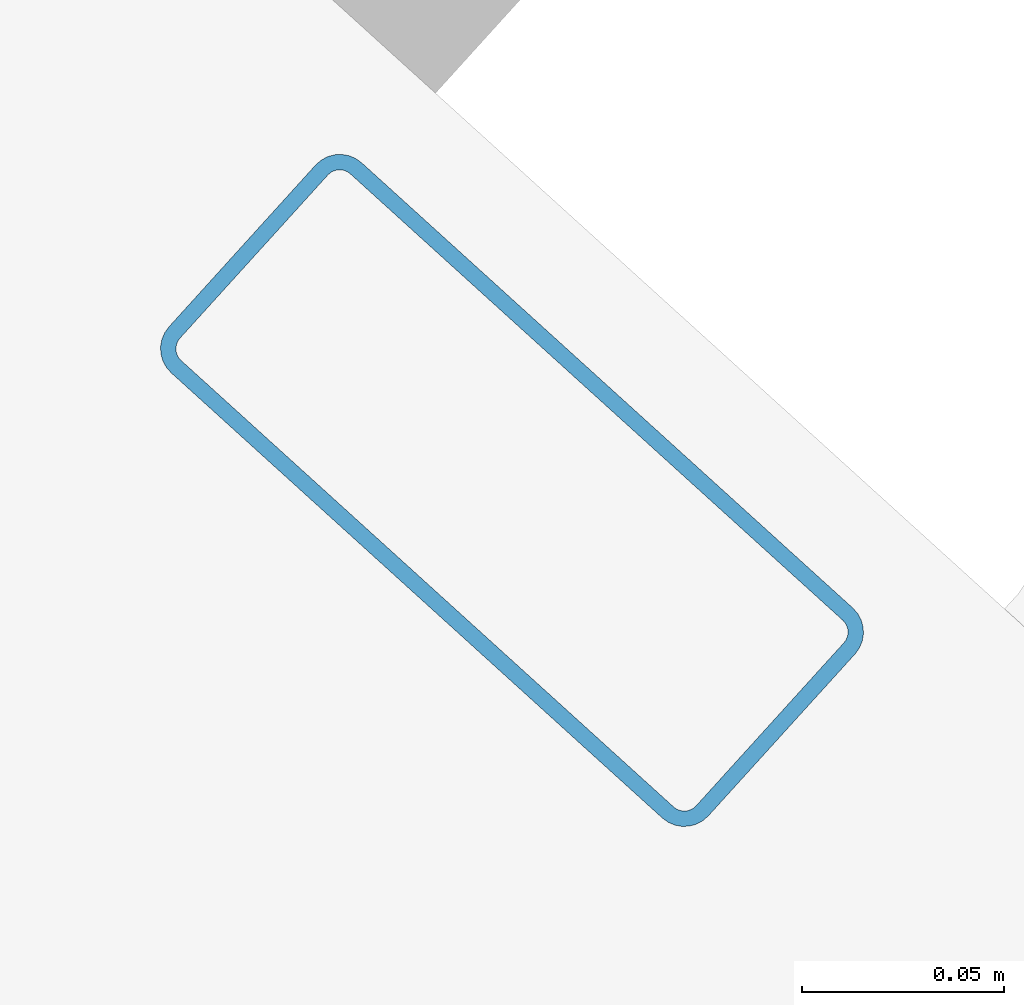
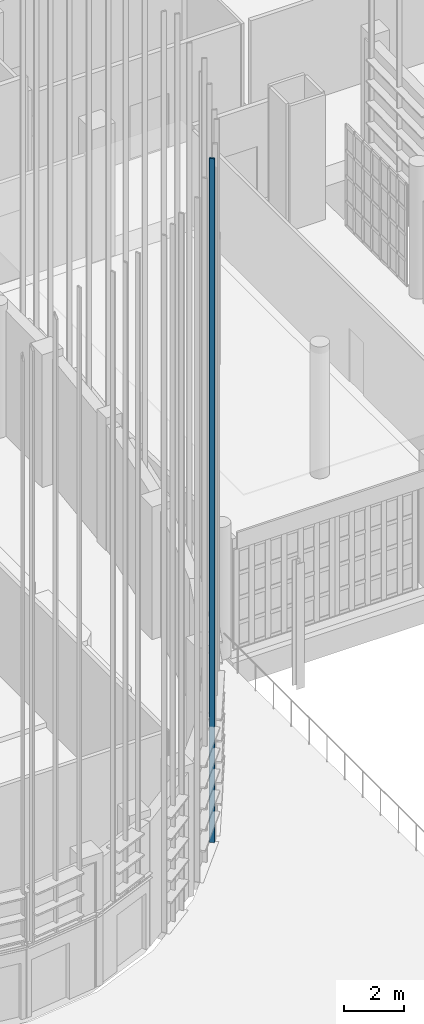
# One storey, part 56 of 372: 1 member.
"""IFC4 building model written with IfcOpenShell, lengths in metres."""

from ifc_helpers import new_model, si_unit, direction, frame, origin, origin_2d, place, context, subcontext, project, spatial, hollow_rectangle, extrude, material, material_profile, profile_set, type_object, element, save


model = new_model("IFC4")

# Units and contexts
model_context = context("Model", 3, precision=1e-05, world=origin(), true_north=direction((0.0, 1.0)))
body_context = subcontext(model_context, "Body", "Model", "MODEL_VIEW")
ifc_project = project(units=[si_unit("LENGTHUNIT", "METRE"), si_unit("AREAUNIT", "SQUARE_METRE"), si_unit("VOLUMEUNIT", "CUBIC_METRE"), si_unit("PLANEANGLEUNIT", "RADIAN"), si_unit("MASSUNIT", "GRAM", prefix="KILO")], contexts=[model_context])

# Site, building, storey
site_placement = place(None, origin())
site = spatial("IfcSite", under=ifc_project, at=site_placement, CompositionType="ELEMENT")
building_placement = place(site_placement, origin())
building = spatial("IfcBuilding", under=site, at=building_placement, Name="Kaelora Sail Theatre", CompositionType="ELEMENT")
storey_placement = place(building_placement, origin())
storey = spatial("IfcBuildingStorey", under=building, at=storey_placement, Name="L00", CompositionType="ELEMENT", Elevation=0.0)

# Member
ifc_material = material(Name="Anodised aluminium 6063-T6", Category="aluminium")
ifc_material_profile = material_profile(ifc_material, hollow_rectangle(XDim=0.070068359375, YDim=0.179931640625, WallThickness=0.00390625, InnerFilletRadius=0.00390625, OuterFilletRadius=0.008056640625, at=origin_2d()), Name="ALU-MULL 70x180x4")
ifc_profile_set = profile_set([ifc_material_profile], Name="Anodised aluminium 6063-T6")
member_type = type_object("IfcMemberType", Name="ARC-MEM-PST-160", PredefinedType="POST", material=ifc_profile_set)
member_placement = place(storey_placement, frame((52.48779296875, 29.41015625, 0.0), z_axis=(0.0, 0.0, 1.0), x_axis=(-0.6715912843, -0.740921822362, 0.0)))
element("IfcMember", 1, at=member_placement, inside=storey, type_object=member_type, Name="Main Theatre Sail Drum solar louvre vertical support post C8-1", PredefinedType="POST", context=body_context, shape_type="SweptSolid", body=[
    extrude(hollow_rectangle(XDim=0.070068359375, YDim=0.179931640625, WallThickness=0.00390625, InnerFilletRadius=0.00390625, OuterFilletRadius=0.008056640625, at=origin_2d()), origin(), (0.0, 0.0, 1.0), 27.846435546875),
])

save(model, "model.ifc")
